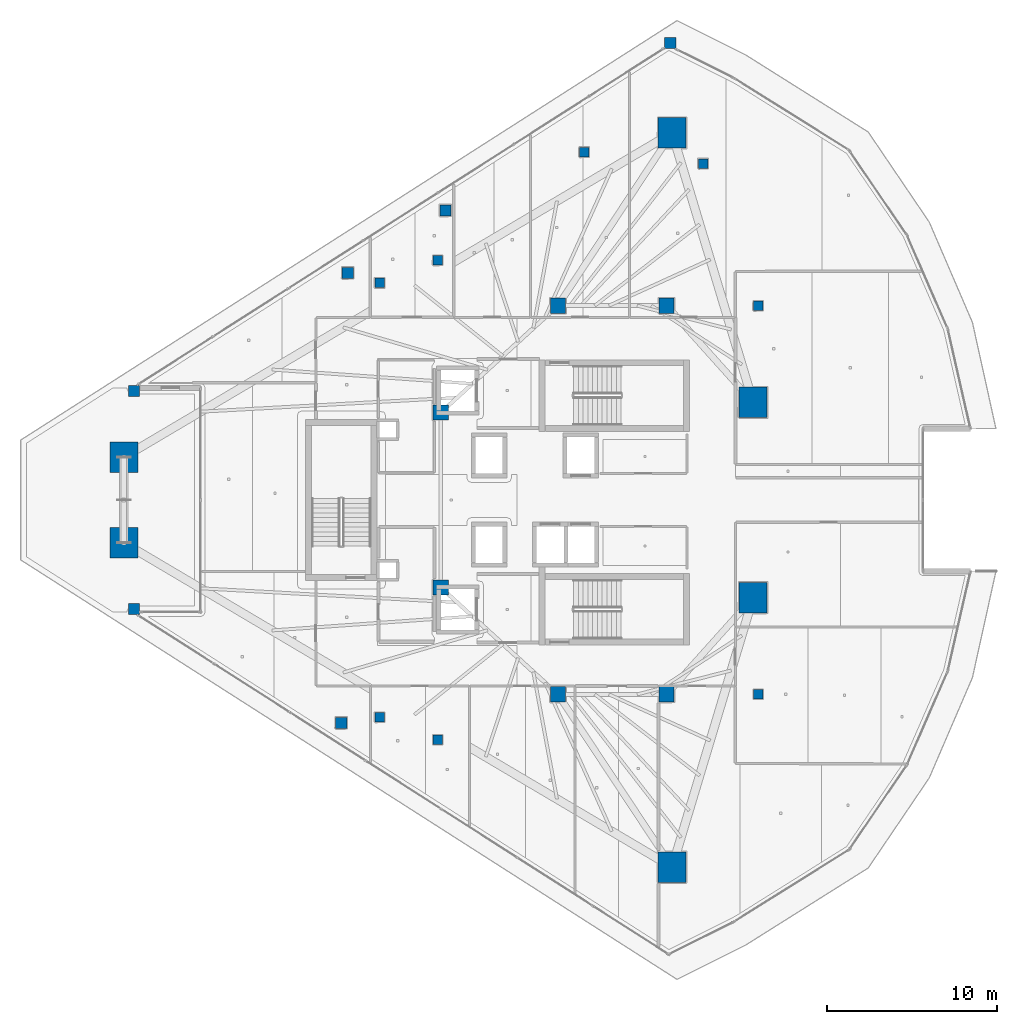
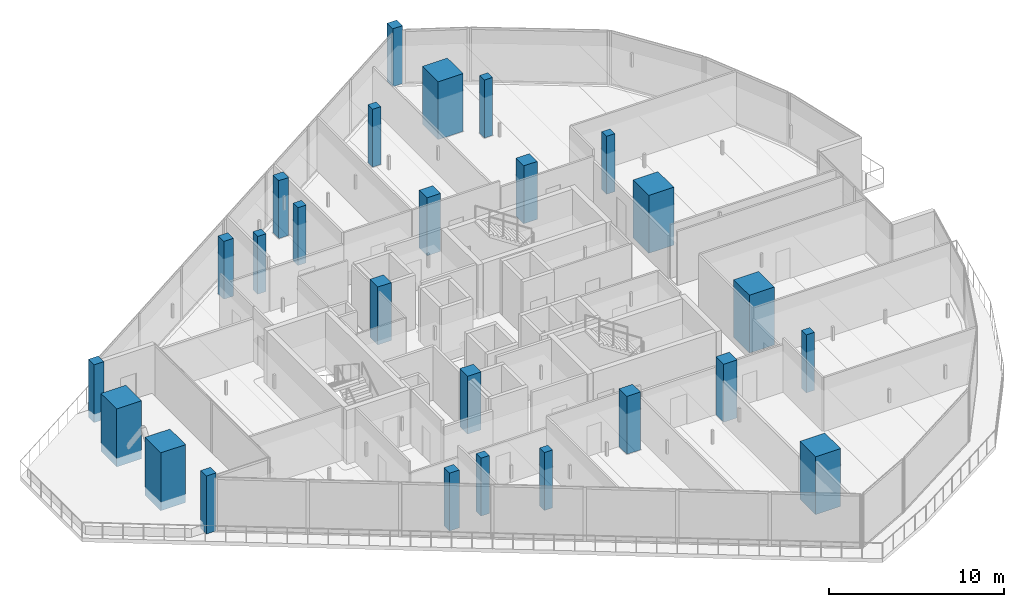
# One storey, part 1 of 36: 26 columns.
"""IFC4 building model written with IfcOpenShell, lengths in metres."""

from ifc_helpers import new_model, si_unit, direction, frame, origin, origin_2d, place, context, subcontext, project, spatial, rectangle, extrude, material, material_profile, profile_set, type_object, element, save


model = new_model("IFC4")

# Units and contexts
model_context = context("Model", 3, precision=1e-05, world=origin(), true_north=direction((0.0, 1.0)))
body_context = subcontext(model_context, "Body", "Model", "MODEL_VIEW")
ifc_project = project(units=[si_unit("LENGTHUNIT", "METRE"), si_unit("AREAUNIT", "SQUARE_METRE"), si_unit("VOLUMEUNIT", "CUBIC_METRE"), si_unit("PLANEANGLEUNIT", "RADIAN"), si_unit("MASSUNIT", "GRAM", prefix="KILO")], contexts=[model_context])

# Site, building, storey
site_placement = place(None, origin())
site = spatial("IfcSite", under=ifc_project, at=site_placement, CompositionType="ELEMENT")
building_placement = place(site_placement, origin())
building = spatial("IfcBuilding", under=site, at=building_placement, Name="Qorvath Tower", CompositionType="ELEMENT")
storey_placement = place(building_placement, frame((0.0, 0.0, 229.35009765625)))
storey = spatial("IfcBuildingStorey", under=building, at=storey_placement, Name="L53", CompositionType="ELEMENT", Elevation=229.35009765625)

# Columns
ifc_material_1 = material(Name="Concrete C60/75", Category="concrete")
ifc_material_profile_1 = material_profile(ifc_material_1, rectangle(XDim=1.64990234375, YDim=1.800048828125, at=origin_2d()), Name="MC 1800x1650")
ifc_profile_set_1 = profile_set([ifc_material_profile_1], Name="Concrete C60/75")
column_type_1 = type_object("IfcColumnType", Name="COL-MC4", PredefinedType="COLUMN", material=ifc_profile_set_1)
for number, where, z_axis, x_axis, name in (
    (1, (-49.171875, 2.52783203125, 0.0), (0.0, 0.0, 1.0), (1.0, 0.0, 0.0), "Composite Mega-Column MC1 L53"),
    (2, (-49.171875, -2.52783203125, 0.0), (0.0, 0.0, 1.0), (1.0, 0.0, 0.0), "Composite Mega-Column MC2 L53"),
    (3, (-16.87158203125, -21.627197265625, 0.0), (0.0, 0.0, 1.0), (1.0, 0.0, 0.0), "Composite Mega-Column MC3 L53"),
    (4, (-12.0966796875, -5.7578125, 0.0), (0.0, 0.0, 1.0), (1.0, 0.0, 0.0), "Composite Mega-Column MC4 L53"),
    (5, (-12.0966796875, 5.7578125, 0.0), (0.0, 0.0, 1.0), (1.0, 0.0, 0.0), "Composite Mega-Column MC5 L53"),
    (6, (-16.87158203125, 21.627197265625, 0.0), (0.0, 0.0, 1.0), (1.0, 0.0, 0.0), "Composite Mega-Column MC6 L53"),
):
    element("IfcColumn", number, at=place(storey_placement, frame(where, z_axis=z_axis, x_axis=x_axis)), inside=storey, type_object=column_type_1, Name=name, PredefinedType="COLUMN", context=body_context, shape_type="SweptSolid", body=[
        extrude(rectangle(XDim=1.64990234375, YDim=1.800048828125, at=origin_2d()), origin(), (0.0, 0.0, 1.0), 4.0498046875),
    ])
ifc_material_2 = material(Name="Concrete C50/60", Category="concrete")
ifc_material_profile_2 = material_profile(ifc_material_2, rectangle(XDim=0.89990234375, YDim=0.89990234375, at=origin_2d()), Name="RC 900x900")
ifc_profile_set_2 = profile_set([ifc_material_profile_2], Name="Concrete C50/60")
column_type_2 = type_object("IfcColumnType", Name="COL-RC3", PredefinedType="COLUMN", material=ifc_profile_set_2)
for number, where, z_axis, x_axis, name in (
    (7, (-23.60009765625, 11.449951171875, 0.0), (0.0, 0.0, 1.0), (1.0, 0.0, 0.0), "Core Spine Column CC1 L53"),
    (8, (-17.199951171875, 11.449951171875, 0.0), (0.0, 0.0, 1.0), (1.0, 0.0, 0.0), "Core Spine Column CC2 L53"),
    (9, (-17.199951171875, -11.449951171875, 0.0), (0.0, 0.0, 1.0), (1.0, 0.0, 0.0), "Core Spine Column CC3 L53"),
    (10, (-23.60009765625, -11.449951171875, 0.0), (0.0, 0.0, 1.0), (1.0, 0.0, 0.0), "Core Spine Column CC4 L53"),
    (11, (-30.5, 5.14990234375, 0.0), (0.0, 0.0, 1.0), (1.0, 0.0, 0.0), "Core Spine Column CC5 L53"),
    (12, (-30.5, -5.14990234375, 0.0), (0.0, 0.0, 1.0), (1.0, 0.0, 0.0), "Core Spine Column CC6 L53"),
):
    element("IfcColumn", number, at=place(storey_placement, frame(where, z_axis=z_axis, x_axis=x_axis)), inside=storey, type_object=column_type_2, Name=name, PredefinedType="COLUMN", context=body_context, shape_type="SweptSolid", body=[
        extrude(rectangle(XDim=0.89990234375, YDim=0.89990234375, at=origin_2d()), origin(), (0.0, 0.0, 1.0), 4.0498046875),
    ])
ifc_material_3 = material(Name="Concrete C45/55", Category="concrete")
ifc_material_profile_3 = material_profile(ifc_material_3, rectangle(XDim=0.64990234375, YDim=0.64990234375, at=origin_2d()), Name="RC 650x650")
ifc_profile_set_3 = profile_set([ifc_material_profile_3], Name="Concrete C45/55")
column_type_3 = type_object("IfcColumnType", Name="COL-RC6", PredefinedType="COLUMN", material=ifc_profile_set_3)
for number, where, z_axis, x_axis, name in (
    (13, (-48.578369140625, 6.424560546875, 0.0), (0.0, 0.0, 1.0), (1.0, 0.0, 0.0), "Loggia Frame Pier Column LGE1 L53"),
    (14, (-48.578369140625, -6.424560546875, 0.0), (0.0, 0.0, 1.0), (1.0, 0.0, 0.0), "Loggia Frame Pier Column LGE2 L53"),
    (15, (-16.981201171875, 26.92919921875, 0.0), (0.0, 0.0, 1.0), (1.0, 0.0, 0.0), "Loggia Frame Pier Column LGE3 L53"),
    (16, (-35.980712890625, 13.380859375, 0.0), (0.0, 0.0, 1.0), (1.0, 0.0, 0.0), "Loggia Frame Pier Column LGF1 L53"),
    (17, (-36.36474609375, -13.135498046875, 0.0), (0.0, 0.0, 1.0), (1.0, 0.0, 0.0), "Loggia Frame Pier Column LGF2 L53"),
    (18, (-30.224853515625, 17.0595703125, 0.0), (0.0, 0.0, 1.0), (1.0, 0.0, 0.0), "Loggia Frame Pier Column LGF3 L53"),
):
    element("IfcColumn", number, at=place(storey_placement, frame(where, z_axis=z_axis, x_axis=x_axis)), inside=storey, type_object=column_type_3, Name=name, PredefinedType="COLUMN", context=body_context, shape_type="SweptSolid", body=[
        extrude(rectangle(XDim=0.64990234375, YDim=0.64990234375, at=origin_2d()), origin(), (0.0, 0.0, 1.0), 4.0498046875),
    ])
ifc_material_4 = material(Name="Concrete C45/55", Category="concrete")
ifc_material_profile_4 = material_profile(ifc_material_4, rectangle(XDim=0.550048828125, YDim=0.550048828125, at=origin_2d()), Name="RC 550x550")
ifc_profile_set_4 = profile_set([ifc_material_profile_4], Name="Concrete C45/55")
column_type_4 = type_object("IfcColumnType", Name="COL-RC7", PredefinedType="COLUMN", material=ifc_profile_set_4)
for number, where, z_axis, x_axis, name in (
    (19, (-34.104248046875, 12.79248046875, 0.0), (0.0, 0.0, 1.0), (1.0, 0.0, 0.0), "Loggia Frame Pier Column LGG1 L53"),
    (20, (-34.104248046875, -12.79248046875, 0.0), (0.0, 0.0, 1.0), (1.0, 0.0, 0.0), "Loggia Frame Pier Column LGG2 L53"),
    (21, (-22.05322265625, 20.494873046875, 0.0), (0.0, 0.0, 1.0), (1.0, 0.0, 0.0), "Loggia Frame Pier Column LGG3 L53"),
    (22, (-30.67724609375, 14.124267578125, 0.0), (0.0, 0.0, 1.0), (1.0, 0.0, 0.0), "Loggia Frame Pier Column LGH1 L53"),
    (23, (-30.67724609375, -14.124267578125, 0.0), (0.0, 0.0, 1.0), (1.0, 0.0, 0.0), "Loggia Frame Pier Column LGH2 L53"),
    (24, (-15.046142578125, 19.818115234375, 0.0), (0.0, 0.0, 1.0), (1.0, 0.0, 0.0), "Loggia Frame Pier Column LGH3 L53"),
    (25, (-11.800048828125, -11.449951171875, 0.0), (0.0, 0.0, 1.0), (1.0, 0.0, 0.0), "Central Slot Jamb Column SC1 L53"),
    (26, (-11.800048828125, 11.449951171875, 0.0), (0.0, 0.0, 1.0), (1.0, 0.0, 0.0), "Central Slot Jamb Column SC2 L53"),
):
    element("IfcColumn", number, at=place(storey_placement, frame(where, z_axis=z_axis, x_axis=x_axis)), inside=storey, type_object=column_type_4, Name=name, PredefinedType="COLUMN", context=body_context, shape_type="SweptSolid", body=[
        extrude(rectangle(XDim=0.550048828125, YDim=0.550048828125, at=origin_2d()), origin(), (0.0, 0.0, 1.0), 4.0498046875),
    ])

save(model, "model.ifc")
